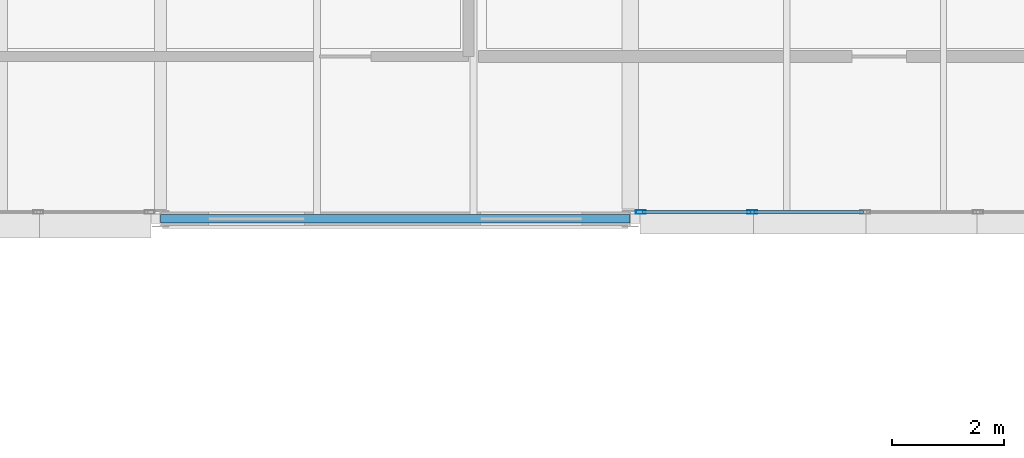
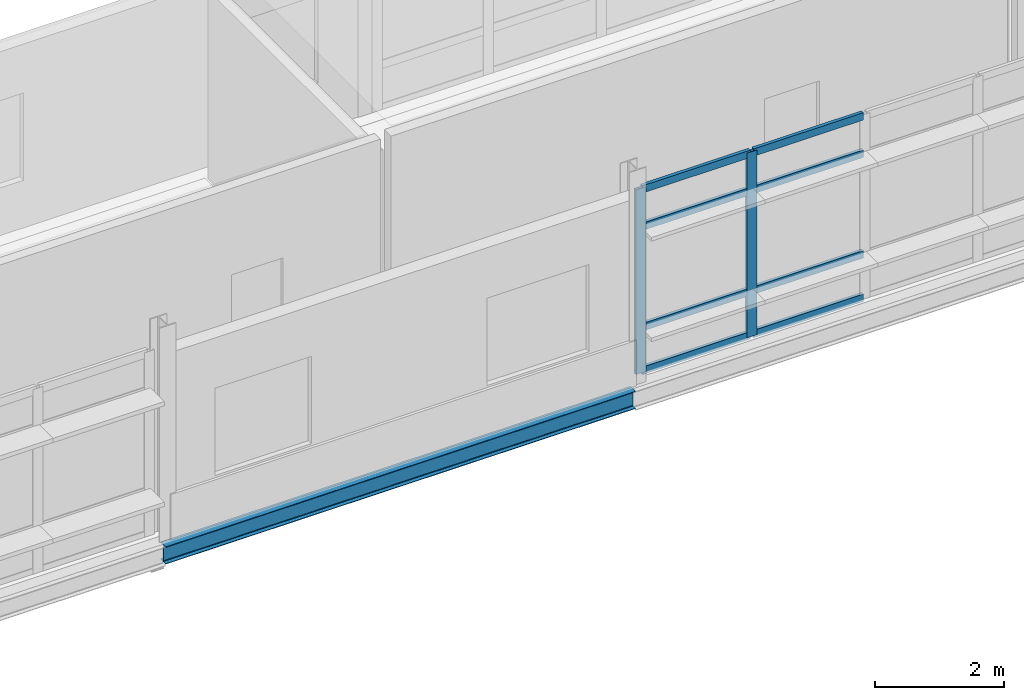
# One storey, part 18 of 57: 10 members, 1 beam, 1 element without a shape of its own.
"""IFC4 building model written with IfcOpenShell, lengths in metres."""

from ifc_helpers import new_model, si_unit, direction, frame, origin, origin_2d, place, context, subcontext, project, spatial, hollow_rectangle, i_section, extrude, material, material_profile, profile_set, type_object, element, aggregate, save


model = new_model("IFC4")

# Units and contexts
model_context = context("Model", 3, precision=1e-05, world=origin(), true_north=direction((0.0, 1.0)))
body_context = subcontext(model_context, "Body", "Model", "MODEL_VIEW")
ifc_project = project(units=[si_unit("LENGTHUNIT", "METRE"), si_unit("AREAUNIT", "SQUARE_METRE"), si_unit("VOLUMEUNIT", "CUBIC_METRE"), si_unit("PLANEANGLEUNIT", "RADIAN"), si_unit("MASSUNIT", "GRAM", prefix="KILO")], contexts=[model_context])

# Site, building, storey
site_placement = place(None, origin())
site = spatial("IfcSite", under=ifc_project, at=site_placement, CompositionType="ELEMENT")
building_placement = place(site_placement, origin())
building = spatial("IfcBuilding", under=site, at=building_placement, Name="Mersafa Astral City Hall", CompositionType="ELEMENT")
storey_placement = place(building_placement, frame((0.0, 0.0, 26.10009765625)))
storey = spatial("IfcBuildingStorey", under=building, at=storey_placement, Name="L06", CompositionType="ELEMENT", Elevation=26.10009765625)

# Curtain wall, members
ifc_material_1 = material(Name="Anodised bronze aluminium framing", Category="aluminium")
curtain_wall_type = type_object("IfcCurtainWallType", Name="ENV-CW-2", PredefinedType="USERDEFINED", material=ifc_material_1)
curtain_wall_placement = place(storey_placement, origin())
curtain_wall = element("IfcCurtainWall", 1, at=curtain_wall_placement, inside=storey, type_object=curtain_wall_type, Name="L06 Unitised solar curtain wall 265", ObjectType="UNITISED CURTAIN WALL", PredefinedType="USERDEFINED")
ifc_material_profile_1 = material_profile(ifc_material_1, hollow_rectangle(XDim=0.06005859375, YDim=0.179931640625, WallThickness=0.00390625, at=origin_2d()), Name="RHS 60x180x4")
ifc_profile_set_1 = profile_set([ifc_material_profile_1], Name="Anodised bronze aluminium framing")
member_type_1 = type_object("IfcMemberType", Name="ENV-CW-MUL-1", PredefinedType="MULLION", material=ifc_profile_set_1)
member_1_placement = place(storey_placement, frame((84.19189453125, 117.719970703125, -0.002197265625), z_axis=(0.0, 0.0, 1.0), x_axis=(0.0, 1.0, 0.0)))
member_1 = element("IfcMember", 2, at=member_1_placement, type_object=member_type_1, Name="CW-2 mullion 1", PredefinedType="MULLION", context=body_context, shape_type="SweptSolid", body=[
    extrude(hollow_rectangle(XDim=0.06005859375, YDim=0.179931640625, WallThickness=0.00390625, at=origin_2d()), origin(), (0.0, 0.0, 1.0), 3.489013671875),
])
member_2_placement = place(storey_placement, frame((86.180908203125, 117.719970703125, -0.002197265625), z_axis=(0.0, 0.0, 1.0), x_axis=(0.0, 1.0, 0.0)))
member_2 = element("IfcMember", 3, at=member_2_placement, type_object=member_type_1, Name="CW-2 mullion 2", PredefinedType="MULLION", context=body_context, shape_type="SweptSolid", body=[
    extrude(hollow_rectangle(XDim=0.06005859375, YDim=0.179931640625, WallThickness=0.00390625, at=origin_2d()), origin(), (0.0, 0.0, 1.0), 3.489013671875),
])
ifc_material_profile_2 = material_profile(ifc_material_1, hollow_rectangle(XDim=0.06005859375, YDim=0.139892578125, WallThickness=0.00390625, at=origin_2d()), Name="RHS 60x140x4")
ifc_profile_set_2 = profile_set([ifc_material_profile_2], Name="Anodised bronze aluminium framing")
member_type_2 = type_object("IfcMemberType", Name="ENV-CW-TRN-1", PredefinedType="USERDEFINED", material=ifc_profile_set_2)
member_3_placement = place(storey_placement, frame((84.221923828125, 117.719970703125, 0.02783203125), z_axis=(1.0, 0.0, 0.0), x_axis=(0.0, 1.0, 0.0)))
member_3 = element("IfcMember", 4, at=member_3_placement, type_object=member_type_2, Name="CW-2 transom 1.1", ObjectType="TRANSOM", PredefinedType="USERDEFINED", context=body_context, shape_type="SweptSolid", body=[
    extrude(hollow_rectangle(XDim=0.06005859375, YDim=0.139892578125, WallThickness=0.00390625, at=origin_2d()), origin(), (0.0, 0.0, 1.0), 1.928955078125),
])
member_4_placement = place(storey_placement, frame((84.221923828125, 117.719970703125, 0.849853515625), z_axis=(1.0, 0.0, 0.0), x_axis=(0.0, 1.0, 0.0)))
member_4 = element("IfcMember", 5, at=member_4_placement, type_object=member_type_2, Name="CW-2 transom 1.2", ObjectType="TRANSOM", PredefinedType="USERDEFINED", context=body_context, shape_type="SweptSolid", body=[
    extrude(hollow_rectangle(XDim=0.06005859375, YDim=0.139892578125, WallThickness=0.00390625, at=origin_2d()), origin(), (0.0, 0.0, 1.0), 1.928955078125),
])
member_5_placement = place(storey_placement, frame((84.221923828125, 117.719970703125, 2.75), z_axis=(1.0, 0.0, 0.0), x_axis=(0.0, 1.0, 0.0)))
member_5 = element("IfcMember", 6, at=member_5_placement, type_object=member_type_2, Name="CW-2 transom 1.3", ObjectType="TRANSOM", PredefinedType="USERDEFINED", context=body_context, shape_type="SweptSolid", body=[
    extrude(hollow_rectangle(XDim=0.06005859375, YDim=0.139892578125, WallThickness=0.00390625, at=origin_2d()), origin(), (0.0, 0.0, 1.0), 1.928955078125),
])
member_6_placement = place(storey_placement, frame((84.221923828125, 117.719970703125, 3.456787109375), z_axis=(1.0, 0.0, 0.0), x_axis=(0.0, 1.0, 0.0)))
member_6 = element("IfcMember", 7, at=member_6_placement, type_object=member_type_2, Name="CW-2 transom 1.4", ObjectType="TRANSOM", PredefinedType="USERDEFINED", context=body_context, shape_type="SweptSolid", body=[
    extrude(hollow_rectangle(XDim=0.06005859375, YDim=0.139892578125, WallThickness=0.00390625, at=origin_2d()), origin(), (0.0, 0.0, 1.0), 1.928955078125),
])
member_7_placement = place(storey_placement, frame((86.2109375, 117.719970703125, 0.02783203125), z_axis=(1.0, 0.0, 0.0), x_axis=(0.0, 1.0, 0.0)))
member_7 = element("IfcMember", 8, at=member_7_placement, type_object=member_type_2, Name="CW-2 transom 2.1", ObjectType="TRANSOM", PredefinedType="USERDEFINED", context=body_context, shape_type="SweptSolid", body=[
    extrude(hollow_rectangle(XDim=0.06005859375, YDim=0.139892578125, WallThickness=0.00390625, at=origin_2d()), origin(), (0.0, 0.0, 1.0), 1.958984375),
])
member_8_placement = place(storey_placement, frame((86.2109375, 117.719970703125, 0.849853515625), z_axis=(1.0, 0.0, 0.0), x_axis=(0.0, 1.0, 0.0)))
member_8 = element("IfcMember", 9, at=member_8_placement, type_object=member_type_2, Name="CW-2 transom 2.2", ObjectType="TRANSOM", PredefinedType="USERDEFINED", context=body_context, shape_type="SweptSolid", body=[
    extrude(hollow_rectangle(XDim=0.06005859375, YDim=0.139892578125, WallThickness=0.00390625, at=origin_2d()), origin(), (0.0, 0.0, 1.0), 1.958984375),
])
member_9_placement = place(storey_placement, frame((86.2109375, 117.719970703125, 2.75), z_axis=(1.0, 0.0, 0.0), x_axis=(0.0, 1.0, 0.0)))
member_9 = element("IfcMember", 10, at=member_9_placement, type_object=member_type_2, Name="CW-2 transom 2.3", ObjectType="TRANSOM", PredefinedType="USERDEFINED", context=body_context, shape_type="SweptSolid", body=[
    extrude(hollow_rectangle(XDim=0.06005859375, YDim=0.139892578125, WallThickness=0.00390625, at=origin_2d()), origin(), (0.0, 0.0, 1.0), 1.958984375),
])
member_10_placement = place(storey_placement, frame((86.2109375, 117.719970703125, 3.456787109375), z_axis=(1.0, 0.0, 0.0), x_axis=(0.0, 1.0, 0.0)))
member_10 = element("IfcMember", 11, at=member_10_placement, type_object=member_type_2, Name="CW-2 transom 2.4", ObjectType="TRANSOM", PredefinedType="USERDEFINED", context=body_context, shape_type="SweptSolid", body=[
    extrude(hollow_rectangle(XDim=0.06005859375, YDim=0.139892578125, WallThickness=0.00390625, at=origin_2d()), origin(), (0.0, 0.0, 1.0), 1.958984375),
])
aggregate(curtain_wall, [member_1, member_2, member_3, member_4, member_5, member_6, member_7, member_8, member_9, member_10])

# Beam
ifc_material_2 = material(Name="Steel S355", Category="steel")
ifc_material_profile_3 = material_profile(ifc_material_2, i_section(OverallWidth=0.159912109375, OverallDepth=0.330078125, WebThickness=0.007568359375, FlangeThickness=0.011474609375, FilletRadius=0.01806640625, at=origin_2d()), Name="IPE 330")
ifc_profile_set_3 = profile_set([ifc_material_profile_3], Name="Steel S355")
beam_type = type_object("IfcBeamType", Name="STR-BM-SPANDREL-IPE330", PredefinedType="SPANDREL", material=ifc_profile_set_3)
beam_placement = place(storey_placement, frame((75.60302734375, 117.60009765625, -0.340087890625), z_axis=(1.0, 0.0, 0.0), x_axis=(0.0, 1.0, 0.0)))
element("IfcBeam", 12, at=beam_placement, inside=storey, type_object=beam_type, Name="L06 Primary girder X 9-14", PredefinedType="SPANDREL", context=body_context, shape_type="SweptSolid", body=[
    extrude(i_section(OverallWidth=0.159912109375, OverallDepth=0.330078125, WebThickness=0.007568359375, FlangeThickness=0.011474609375, FilletRadius=0.01806640625, at=origin_2d()), origin(), (0.0, 0.0, 1.0), 8.39404296875),
])

save(model, "model.ifc")
